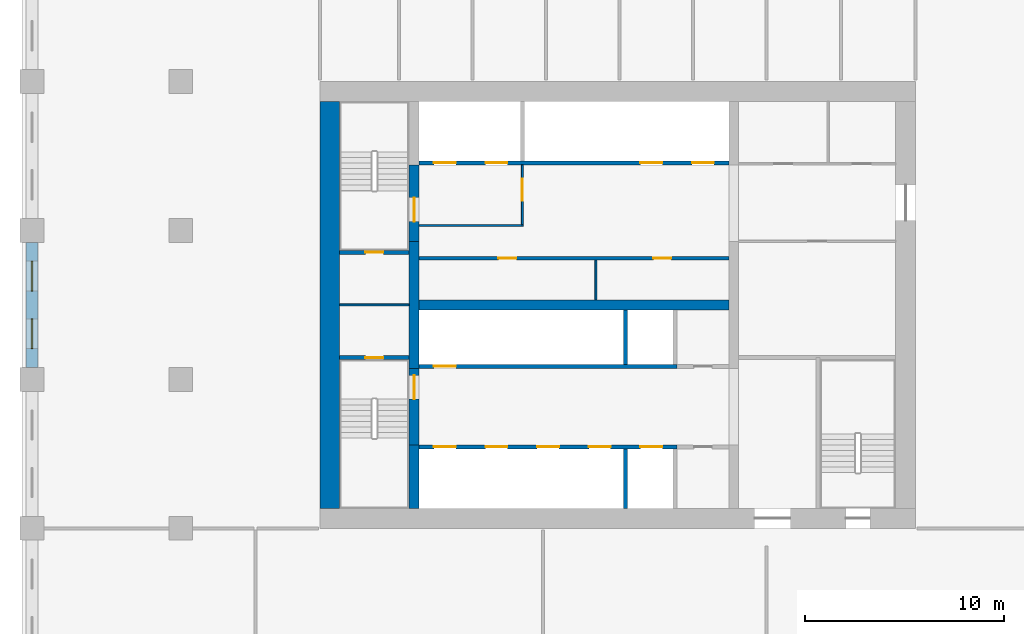
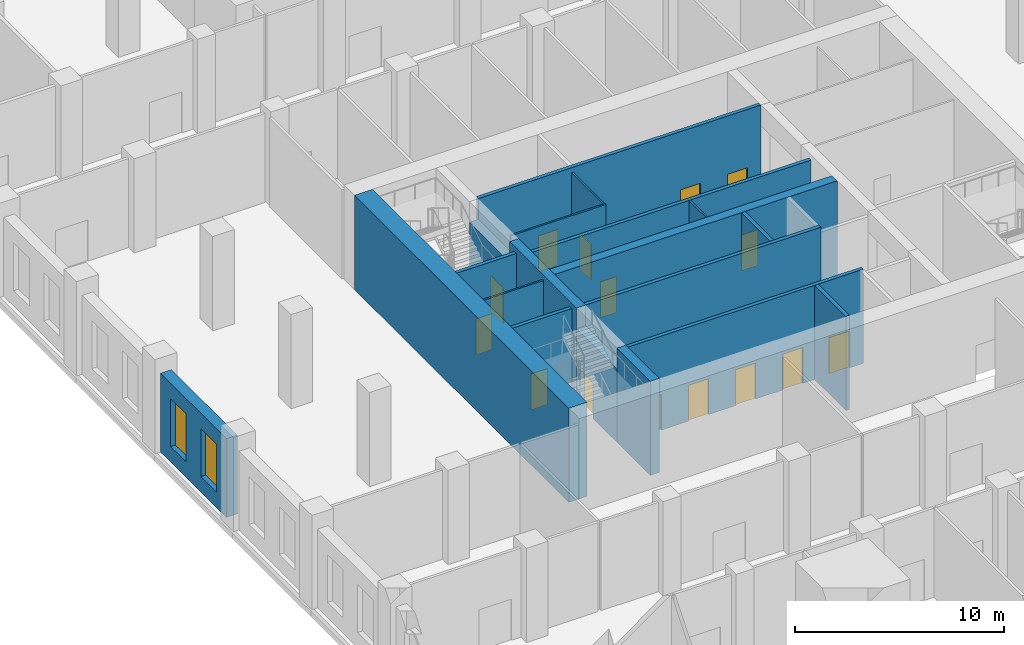
# One storey, part 5 of 25: 19 walls, 17 doors, 2 windows, 19 openings.
"""IFC4 building model written with IfcOpenShell, lengths in metres."""

from ifc_helpers import new_model, si_unit, direction, frame, frame_2d, origin, place, context, subcontext, project, spatial, rectangle, extrude, material, layer, layer_set, type_object, element, fill, save


model = new_model("IFC4")

# Units and contexts
model_context = context("Model", 3, precision=1e-05, world=origin(), true_north=direction((0.0, 1.0)))
body_context = subcontext(model_context, "Body", "Model", "MODEL_VIEW")
ifc_project = project(units=[si_unit("LENGTHUNIT", "METRE"), si_unit("AREAUNIT", "SQUARE_METRE"), si_unit("VOLUMEUNIT", "CUBIC_METRE"), si_unit("PLANEANGLEUNIT", "RADIAN"), si_unit("MASSUNIT", "GRAM", prefix="KILO")], contexts=[model_context])

# Site, building, storey
site_placement = place(None, origin())
site = spatial("IfcSite", under=ifc_project, at=site_placement, CompositionType="ELEMENT")
building_placement = place(site_placement, origin())
building = spatial("IfcBuilding", under=site, at=building_placement, Name="Tamorin Gate", CompositionType="ELEMENT")
storey_placement = place(building_placement, frame((0.0, 0.0, 23.5)))
storey = spatial("IfcBuildingStorey", under=building, at=storey_placement, Name="L04", CompositionType="ELEMENT", Elevation=23.5)

# Wall, openings, doors
ifc_material_1 = material(Name="Concrete C32/40", Category="concrete")
ifc_layer_1 = layer(ifc_material_1, 0.199951171875)
ifc_layer_set_1 = layer_set([ifc_layer_1], Name="Lift lobby face wall 200 EI 120")
wall_type_1 = type_object("IfcWallType", Name="Lift lobby face wall 200 EI 120", PredefinedType="SOLIDWALL", material=ifc_layer_set_1)
wall_1_placement = place(storey_placement, frame((35.0, 64.10009765625, 0.0), z_axis=(0.0, 0.0, 1.0), x_axis=(1.0, 0.0, 0.0)))
wall_1 = element("IfcWall", 1, at=wall_1_placement, inside=storey, type_object=wall_type_1, Name="Lift lobby face wall", PredefinedType="SOLIDWALL", context=body_context, shape_type="SweptSolid", body=[
    extrude(rectangle(XDim=13.0, YDim=0.199951171875, at=frame_2d((6.5, 0.0))), origin(), (0.0, 0.0, 1.0), 5.5),
])
opening_1_placement = place(wall_1_placement, frame((0.75, 0.0, 0.0)))
opening_1 = element("IfcOpeningElement", 2, at=opening_1_placement, cuts=wall_1, Name="Opening LD1", PredefinedType="OPENING", context=body_context, shape_type="SweptSolid", body=[
    extrude(rectangle(XDim=1.10009765625, YDim=2.10009765625, at=frame_2d((0.550048828125, 1.050048828125))), frame((0.0, 0.10986328125, 0.0), z_axis=(0.0, -1.0, 0.0), x_axis=(1.0, 0.0, 0.0)), (0.0, 0.0, 1.0), 0.219970703125),
])
opening_2_placement = place(wall_1_placement, frame((3.35009765625, 0.0, 0.0)))
opening_2 = element("IfcOpeningElement", 3, at=opening_2_placement, cuts=wall_1, Name="Opening LD2", PredefinedType="OPENING", context=body_context, shape_type="SweptSolid", body=[
    extrude(rectangle(XDim=1.10009765625, YDim=2.10009765625, at=frame_2d((0.550048828125, 1.050048828125))), frame((0.0, 0.10986328125, 0.0), z_axis=(0.0, -1.0, 0.0), x_axis=(1.0, 0.0, 0.0)), (0.0, 0.0, 1.0), 0.219970703125),
])
opening_3_placement = place(wall_1_placement, frame((5.949951171875, 0.0, 0.0)))
opening_3 = element("IfcOpeningElement", 4, at=opening_3_placement, cuts=wall_1, Name="Opening LD3", PredefinedType="OPENING", context=body_context, shape_type="SweptSolid", body=[
    extrude(rectangle(XDim=1.10009765625, YDim=2.10009765625, at=frame_2d((0.550048828125, 1.050048828125))), frame((0.0, 0.10986328125, 0.0), z_axis=(0.0, -1.0, 0.0), x_axis=(1.0, 0.0, 0.0)), (0.0, 0.0, 1.0), 0.219970703125),
])
opening_4_placement = place(wall_1_placement, frame((8.550048828125, 0.0, 0.0)))
opening_4 = element("IfcOpeningElement", 5, at=opening_4_placement, cuts=wall_1, Name="Opening LD4", PredefinedType="OPENING", context=body_context, shape_type="SweptSolid", body=[
    extrude(rectangle(XDim=1.10009765625, YDim=2.10009765625, at=frame_2d((0.550048828125, 1.050048828125))), frame((0.0, 0.10986328125, 0.0), z_axis=(0.0, -1.0, 0.0), x_axis=(1.0, 0.0, 0.0)), (0.0, 0.0, 1.0), 0.219970703125),
])
opening_5_placement = place(wall_1_placement, frame((11.14990234375, 0.0, 0.0)))
opening_5 = element("IfcOpeningElement", 6, at=opening_5_placement, cuts=wall_1, Name="Opening LD5", PredefinedType="OPENING", context=body_context, shape_type="SweptSolid", body=[
    extrude(rectangle(XDim=1.10009765625, YDim=2.10009765625, at=frame_2d((0.550048828125, 1.050048828125))), frame((0.0, 0.10986328125, 0.0), z_axis=(0.0, -1.0, 0.0), x_axis=(1.0, 0.0, 0.0)), (0.0, 0.0, 1.0), 0.219970703125),
])
ifc_material_2 = material(Name="Stainless steel sliding door", Category="steel")
door_type_1 = type_object("IfcDoorType", Name="Lift landing door 1100 x 2100 E 90", OperationType="DOUBLE_DOOR_SLIDING", PredefinedType="DOOR", material=ifc_material_2)
door_1_placement = place(opening_1_placement, origin())
door_1 = element("IfcDoor", 7, at=door_1_placement, inside=storey, type_object=door_type_1, Name="LR1 landing door", OperationType="DOUBLE_DOOR_SLIDING", OverallHeight=2.10009765625, OverallWidth=1.10009765625, PredefinedType="DOOR", context=body_context, shape_type="SweptSolid", body=[
    extrude(rectangle(XDim=1.10009765625, YDim=2.10009765625, at=frame_2d((0.550048828125, 1.050048828125))), frame((0.0, 0.02490234375, 0.0), z_axis=(0.0, -1.0, 0.0), x_axis=(1.0, 0.0, 0.0)), (0.0, 0.0, 1.0), 0.050048828125),
])
fill(opening_1, door_1)
door_2_placement = place(opening_2_placement, origin())
door_2 = element("IfcDoor", 8, at=door_2_placement, inside=storey, type_object=door_type_1, Name="LR2 landing door", OperationType="DOUBLE_DOOR_SLIDING", OverallHeight=2.10009765625, OverallWidth=1.10009765625, PredefinedType="DOOR", context=body_context, shape_type="SweptSolid", body=[
    extrude(rectangle(XDim=1.10009765625, YDim=2.10009765625, at=frame_2d((0.550048828125, 1.050048828125))), frame((0.0, 0.02490234375, 0.0), z_axis=(0.0, -1.0, 0.0), x_axis=(1.0, 0.0, 0.0)), (0.0, 0.0, 1.0), 0.050048828125),
])
fill(opening_2, door_2)
door_3_placement = place(opening_3_placement, origin())
door_3 = element("IfcDoor", 9, at=door_3_placement, inside=storey, type_object=door_type_1, Name="LR3 landing door", OperationType="DOUBLE_DOOR_SLIDING", OverallHeight=2.10009765625, OverallWidth=1.10009765625, PredefinedType="DOOR", context=body_context, shape_type="SweptSolid", body=[
    extrude(rectangle(XDim=1.10009765625, YDim=2.10009765625, at=frame_2d((0.550048828125, 1.050048828125))), frame((0.0, 0.02490234375, 0.0), z_axis=(0.0, -1.0, 0.0), x_axis=(1.0, 0.0, 0.0)), (0.0, 0.0, 1.0), 0.050048828125),
])
fill(opening_3, door_3)
door_4_placement = place(opening_4_placement, origin())
door_4 = element("IfcDoor", 10, at=door_4_placement, inside=storey, type_object=door_type_1, Name="LR4 landing door", OperationType="DOUBLE_DOOR_SLIDING", OverallHeight=2.10009765625, OverallWidth=1.10009765625, PredefinedType="DOOR", context=body_context, shape_type="SweptSolid", body=[
    extrude(rectangle(XDim=1.10009765625, YDim=2.10009765625, at=frame_2d((0.550048828125, 1.050048828125))), frame((0.0, 0.02490234375, 0.0), z_axis=(0.0, -1.0, 0.0), x_axis=(1.0, 0.0, 0.0)), (0.0, 0.0, 1.0), 0.050048828125),
])
fill(opening_4, door_4)
door_5_placement = place(opening_5_placement, origin())
door_5 = element("IfcDoor", 11, at=door_5_placement, inside=storey, type_object=door_type_1, Name="LR5 landing door", OperationType="DOUBLE_DOOR_SLIDING", OverallHeight=2.10009765625, OverallWidth=1.10009765625, PredefinedType="DOOR", context=body_context, shape_type="SweptSolid", body=[
    extrude(rectangle(XDim=1.10009765625, YDim=2.10009765625, at=frame_2d((0.550048828125, 1.050048828125))), frame((0.0, 0.02490234375, 0.0), z_axis=(0.0, -1.0, 0.0), x_axis=(1.0, 0.0, 0.0)), (0.0, 0.0, 1.0), 0.050048828125),
])
fill(opening_5, door_5)

# Wall, opening, door
wall_2_placement = place(storey_placement, frame((35.0, 68.14990234375, 0.0), z_axis=(0.0, 0.0, 1.0), x_axis=(1.0, 0.0, 0.0)))
wall_2 = element("IfcWall", 12, at=wall_2_placement, inside=storey, type_object=wall_type_1, Name="Lift lobby face wall", PredefinedType="SOLIDWALL", context=body_context, shape_type="SweptSolid", body=[
    extrude(rectangle(XDim=13.0, YDim=0.199951171875, at=frame_2d((6.5, 0.0))), origin(), (0.0, 0.0, 1.0), 5.5),
])
opening_6_placement = place(wall_2_placement, frame((0.75, 0.0, 0.0)))
opening_6 = element("IfcOpeningElement", 13, at=opening_6_placement, cuts=wall_2, Name="Opening LD6", PredefinedType="OPENING", context=body_context, shape_type="SweptSolid", body=[
    extrude(rectangle(XDim=1.10009765625, YDim=2.10009765625, at=frame_2d((0.550048828125, 1.050048828125))), frame((0.0, 0.10986328125, 0.0), z_axis=(0.0, -1.0, 0.0), x_axis=(1.0, 0.0, 0.0)), (0.0, 0.0, 1.0), 0.219970703125),
])
door_6_placement = place(opening_6_placement, origin())
door_6 = element("IfcDoor", 14, at=door_6_placement, inside=storey, type_object=door_type_1, Name="LR6 landing door", OperationType="DOUBLE_DOOR_SLIDING", OverallHeight=2.10009765625, OverallWidth=1.10009765625, PredefinedType="DOOR", context=body_context, shape_type="SweptSolid", body=[
    extrude(rectangle(XDim=1.10009765625, YDim=2.10009765625, at=frame_2d((0.550048828125, 1.050048828125))), frame((0.0, 0.02490234375, 0.0), z_axis=(0.0, -1.0, 0.0), x_axis=(1.0, 0.0, 0.0)), (0.0, 0.0, 1.0), 0.050048828125),
])
fill(opening_6, door_6)

# Wall, openings, doors
wall_3_placement = place(storey_placement, frame((35.0, 78.39990234375, 0.0), z_axis=(0.0, 0.0, 1.0), x_axis=(1.0, 0.0, 0.0)))
wall_3 = element("IfcWall", 15, at=wall_3_placement, inside=storey, type_object=wall_type_1, Name="Lift lobby face wall", PredefinedType="SOLIDWALL", context=body_context, shape_type="SweptSolid", body=[
    extrude(rectangle(XDim=15.60009765625, YDim=0.199951171875, at=frame_2d((7.800048828125, 0.0))), origin(), (0.0, 0.0, 1.0), 5.5),
])
opening_7_placement = place(wall_3_placement, frame((0.75, 0.0, 0.0)))
opening_7 = element("IfcOpeningElement", 16, at=opening_7_placement, cuts=wall_3, Name="Opening LD17", PredefinedType="OPENING", context=body_context, shape_type="SweptSolid", body=[
    extrude(rectangle(XDim=1.10009765625, YDim=2.10009765625, at=frame_2d((0.550048828125, 1.050048828125))), frame((0.0, 0.10986328125, 0.0), z_axis=(0.0, -1.0, 0.0), x_axis=(1.0, 0.0, 0.0)), (0.0, 0.0, 1.0), 0.219970703125),
])
opening_8_placement = place(wall_3_placement, frame((3.35009765625, 0.0, 0.0)))
opening_8 = element("IfcOpeningElement", 17, at=opening_8_placement, cuts=wall_3, Name="Opening LD18", PredefinedType="OPENING", context=body_context, shape_type="SweptSolid", body=[
    extrude(rectangle(XDim=1.10009765625, YDim=2.10009765625, at=frame_2d((0.550048828125, 1.050048828125))), frame((0.0, 0.10986328125, 0.0), z_axis=(0.0, -1.0, 0.0), x_axis=(1.0, 0.0, 0.0)), (0.0, 0.0, 1.0), 0.219970703125),
])
opening_9_placement = place(wall_3_placement, frame((11.14990234375, 0.0, 0.0)))
opening_9 = element("IfcOpeningElement", 18, at=opening_9_placement, cuts=wall_3, Name="Opening LD21", PredefinedType="OPENING", context=body_context, shape_type="SweptSolid", body=[
    extrude(rectangle(XDim=1.10009765625, YDim=2.10009765625, at=frame_2d((0.550048828125, 1.050048828125))), frame((0.0, 0.10986328125, 0.0), z_axis=(0.0, -1.0, 0.0), x_axis=(1.0, 0.0, 0.0)), (0.0, 0.0, 1.0), 0.219970703125),
])
opening_10_placement = place(wall_3_placement, frame((13.75, 0.0, 0.0)))
opening_10 = element("IfcOpeningElement", 19, at=opening_10_placement, cuts=wall_3, Name="Opening LD22", PredefinedType="OPENING", context=body_context, shape_type="SweptSolid", body=[
    extrude(rectangle(XDim=1.10009765625, YDim=2.10009765625, at=frame_2d((0.550048828125, 1.050048828125))), frame((0.0, 0.10986328125, 0.0), z_axis=(0.0, -1.0, 0.0), x_axis=(1.0, 0.0, 0.0)), (0.0, 0.0, 1.0), 0.219970703125),
])
door_7_placement = place(opening_7_placement, origin())
door_7 = element("IfcDoor", 20, at=door_7_placement, inside=storey, type_object=door_type_1, Name="FF1 landing door", OperationType="DOUBLE_DOOR_SLIDING", OverallHeight=2.10009765625, OverallWidth=1.10009765625, PredefinedType="DOOR", context=body_context, shape_type="SweptSolid", body=[
    extrude(rectangle(XDim=1.10009765625, YDim=2.10009765625, at=frame_2d((0.550048828125, 1.050048828125))), frame((0.0, 0.02490234375, 0.0), z_axis=(0.0, -1.0, 0.0), x_axis=(1.0, 0.0, 0.0)), (0.0, 0.0, 1.0), 0.050048828125),
])
fill(opening_7, door_7)
door_8_placement = place(opening_8_placement, origin())
door_8 = element("IfcDoor", 21, at=door_8_placement, inside=storey, type_object=door_type_1, Name="FF2 landing door", OperationType="DOUBLE_DOOR_SLIDING", OverallHeight=2.10009765625, OverallWidth=1.10009765625, PredefinedType="DOOR", context=body_context, shape_type="SweptSolid", body=[
    extrude(rectangle(XDim=1.10009765625, YDim=2.10009765625, at=frame_2d((0.550048828125, 1.050048828125))), frame((0.0, 0.02490234375, 0.0), z_axis=(0.0, -1.0, 0.0), x_axis=(1.0, 0.0, 0.0)), (0.0, 0.0, 1.0), 0.050048828125),
])
fill(opening_8, door_8)
door_9_placement = place(opening_9_placement, origin())
door_9 = element("IfcDoor", 22, at=door_9_placement, inside=storey, type_object=door_type_1, Name="SV1 landing door", OperationType="DOUBLE_DOOR_SLIDING", OverallHeight=2.10009765625, OverallWidth=1.10009765625, PredefinedType="DOOR", context=body_context, shape_type="SweptSolid", body=[
    extrude(rectangle(XDim=1.10009765625, YDim=2.10009765625, at=frame_2d((0.550048828125, 1.050048828125))), frame((0.0, 0.02490234375, 0.0), z_axis=(0.0, -1.0, 0.0), x_axis=(1.0, 0.0, 0.0)), (0.0, 0.0, 1.0), 0.050048828125),
])
fill(opening_9, door_9)
door_10_placement = place(opening_10_placement, origin())
door_10 = element("IfcDoor", 23, at=door_10_placement, inside=storey, type_object=door_type_1, Name="SV2 landing door", OperationType="DOUBLE_DOOR_SLIDING", OverallHeight=2.10009765625, OverallWidth=1.10009765625, PredefinedType="DOOR", context=body_context, shape_type="SweptSolid", body=[
    extrude(rectangle(XDim=1.10009765625, YDim=2.10009765625, at=frame_2d((0.550048828125, 1.050048828125))), frame((0.0, 0.02490234375, 0.0), z_axis=(0.0, -1.0, 0.0), x_axis=(1.0, 0.0, 0.0)), (0.0, 0.0, 1.0), 0.050048828125),
])
fill(opening_10, door_10)

# Walls
ifc_layer_2 = layer(ifc_material_1, 0.199951171875)
ifc_layer_set_2 = layer_set([ifc_layer_2], Name="Lift shaft wall 200 EI 120")
wall_type_2 = type_object("IfcWallType", Name="Lift shaft wall 200 EI 120", PredefinedType="SOLIDWALL", material=ifc_layer_set_2)
wall_4_placement = place(storey_placement, frame((45.39990234375, 61.0, 0.0), z_axis=(0.0, 0.0, 1.0), x_axis=(0.0, 1.0, 0.0)))
element("IfcWall", 24, at=wall_4_placement, inside=storey, type_object=wall_type_2, Name="Lift shaft wall", PredefinedType="SOLIDWALL", context=body_context, shape_type="SweptSolid", body=[
    extrude(rectangle(XDim=3.0, YDim=0.199951171875, at=frame_2d((1.5, 0.0))), origin(), (0.0, 0.0, 1.0), 5.5),
])
wall_5_placement = place(storey_placement, frame((45.39990234375, 68.25, 0.0), z_axis=(0.0, 0.0, 1.0), x_axis=(0.0, 1.0, 0.0)))
element("IfcWall", 25, at=wall_5_placement, inside=storey, type_object=wall_type_2, Name="Lift shaft wall", PredefinedType="SOLIDWALL", context=body_context, shape_type="SweptSolid", body=[
    extrude(rectangle(XDim=2.75, YDim=0.199951171875, at=frame_2d((1.375, 0.0))), origin(), (0.0, 0.0, 1.0), 5.5),
])
ifc_material_3 = material(Name="Fire-rated gypsum board partition")
ifc_layer_3 = layer(ifc_material_3, 0.10009765625)
ifc_layer_set_3 = layer_set([ifc_layer_3], Name="Lobby wall 100 EI 60")
wall_type_3 = type_object("IfcWallType", Name="Lobby wall 100 EI 60", PredefinedType="PARTITIONING", material=ifc_layer_set_3)
wall_6_placement = place(storey_placement, frame((35.0, 75.25, 0.0), z_axis=(0.0, 0.0, 1.0), x_axis=(1.0, 0.0, 0.0)))
element("IfcWall", 26, at=wall_6_placement, inside=storey, type_object=wall_type_3, Name="Firefighting lobby wall", PredefinedType="PARTITIONING", context=body_context, shape_type="SweptSolid", body=[
    extrude(rectangle(XDim=5.25, YDim=0.10009765625, at=frame_2d((2.625, 0.0))), origin(), (0.0, 0.0, 1.0), 5.199951171875),
])

# Wall, opening, door
wall_7_placement = place(storey_placement, frame((40.199951171875, 75.300048828125, 0.0), z_axis=(0.0, 0.0, 1.0), x_axis=(0.0, 1.0, 0.0)))
wall_7 = element("IfcWall", 27, at=wall_7_placement, inside=storey, type_object=wall_type_3, Name="Firefighting lobby wall", PredefinedType="PARTITIONING", context=body_context, shape_type="SweptSolid", body=[
    extrude(rectangle(XDim=3.0, YDim=0.10009765625, at=frame_2d((1.5, 0.0))), origin(), (0.0, 0.0, 1.0), 5.199951171875),
])
opening_11_placement = place(wall_7_placement, frame((1.199951171875, 0.0, 0.0)))
opening_11 = element("IfcOpeningElement", 28, at=opening_11_placement, cuts=wall_7, Name="Opening DF1", PredefinedType="OPENING", context=body_context, shape_type="SweptSolid", body=[
    extrude(rectangle(XDim=1.10009765625, YDim=2.10009765625, at=frame_2d((0.550048828125, 1.050048828125))), frame((0.0, 0.06005859375, 0.0), z_axis=(0.0, -1.0, 0.0), x_axis=(1.0, 0.0, 0.0)), (0.0, 0.0, 1.0), 0.1201171875),
])
ifc_material_4 = material(Name="Steel fire door", Category="steel")
door_type_2 = type_object("IfcDoorType", Name="Firefighting lobby door 1100 x 2100 EI 90", OperationType="SINGLE_SWING_LEFT", PredefinedType="DOOR", material=ifc_material_4)
door_11_placement = place(opening_11_placement, origin())
door_11 = element("IfcDoor", 29, at=door_11_placement, inside=storey, type_object=door_type_2, Name="Firefighting lobby door", OperationType="SINGLE_SWING_LEFT", OverallHeight=2.10009765625, OverallWidth=1.10009765625, PredefinedType="DOOR", context=body_context, shape_type="SweptSolid", body=[
    extrude(rectangle(XDim=1.10009765625, YDim=2.10009765625, at=frame_2d((0.550048828125, 1.050048828125))), frame((0.0, 0.02490234375, 0.0), z_axis=(0.0, -1.0, 0.0), x_axis=(1.0, 0.0, 0.0)), (0.0, 0.0, 1.0), 0.050048828125),
])
fill(opening_11, door_11)

# Wall, openings, windows
ifc_material_5 = material(Name="Precast concrete C40/50", Category="concrete")
ifc_layer_4 = layer(ifc_material_5, 0.60009765625)
ifc_layer_set_4 = layer_set([ifc_layer_4], Name="Precast concrete C40/50")
wall_type_4 = type_object("IfcWallType", Name="Precast plinth wall 600", PredefinedType="PARTITIONING", material=ifc_layer_set_4)
wall_8_placement = place(storey_placement, frame((15.5, 68.10009765625, 0.0), z_axis=(0.0, 0.0, 1.0), x_axis=(0.0, 1.0, 0.0)))
wall_8 = element("IfcWall", 30, at=wall_8_placement, inside=storey, type_object=wall_type_4, Name="Precast plinth wall 600 L04", PredefinedType="PARTITIONING", context=body_context, shape_type="SweptSolid", body=[
    extrude(rectangle(XDim=6.2998046875, YDim=0.60009765625, at=frame_2d((3.14990234375, 0.0))), origin(), (0.0, 0.0, 1.0), 4.60009765625),
])
opening_12_placement = place(wall_8_placement, frame((0.950927734375, 0.0, 0.89990234375)))
opening_12 = element("IfcOpeningElement", 31, at=opening_12_placement, cuts=wall_8, Name="Opening PWN5", PredefinedType="OPENING", context=body_context, shape_type="SweptSolid", body=[
    extrude(rectangle(XDim=1.5, YDim=2.800048828125, at=frame_2d((0.75, 1.39990234375))), frame((0.0, 0.31005859375, 0.0), z_axis=(0.0, -1.0, 0.0), x_axis=(1.0, 0.0, 0.0)), (0.0, 0.0, 1.0), 0.6201171875),
])
opening_13_placement = place(wall_8_placement, frame((3.84912109375, 0.0, 0.89990234375)))
opening_13 = element("IfcOpeningElement", 32, at=opening_13_placement, cuts=wall_8, Name="Opening PWN5", PredefinedType="OPENING", context=body_context, shape_type="SweptSolid", body=[
    extrude(rectangle(XDim=1.5, YDim=2.800048828125, at=frame_2d((0.75, 1.39990234375))), frame((0.0, 0.31005859375, 0.0), z_axis=(0.0, -1.0, 0.0), x_axis=(1.0, 0.0, 0.0)), (0.0, 0.0, 1.0), 0.6201171875),
])
ifc_material_6 = material(Name="Aluminium and glass", Category="aluminium")
window_type = type_object("IfcWindowType", Name="Plinth window 1500x2800", PartitioningType="DOUBLE_PANEL_VERTICAL", PredefinedType="WINDOW", material=ifc_material_6)
window_1_placement = place(opening_12_placement, origin())
window_1 = element("IfcWindow", 33, at=window_1_placement, inside=storey, type_object=window_type, Name="Plinth window 1500x2800", OverallHeight=2.800048828125, OverallWidth=1.5, PartitioningType="SINGLE_PANEL", PredefinedType="WINDOW", context=body_context, shape_type="SweptSolid", body=[
    extrude(rectangle(XDim=1.5, YDim=2.800048828125, at=frame_2d((0.75, 1.39990234375))), frame((0.0, 0.030029296875, 0.0), z_axis=(0.0, -1.0, 0.0), x_axis=(1.0, 0.0, 0.0)), (0.0, 0.0, 1.0), 0.06005859375),
])
fill(opening_12, window_1)
window_2_placement = place(opening_13_placement, origin())
window_2 = element("IfcWindow", 34, at=window_2_placement, inside=storey, type_object=window_type, Name="Plinth window 1500x2800", OverallHeight=2.800048828125, OverallWidth=1.5, PartitioningType="SINGLE_PANEL", PredefinedType="WINDOW", context=body_context, shape_type="SweptSolid", body=[
    extrude(rectangle(XDim=1.5, YDim=2.800048828125, at=frame_2d((0.75, 1.39990234375))), frame((0.0, 0.030029296875, 0.0), z_axis=(0.0, -1.0, 0.0), x_axis=(1.0, 0.0, 0.0)), (0.0, 0.0, 1.0), 0.06005859375),
])
fill(opening_13, window_2)

# Walls
ifc_material_7 = material(Name="Concrete C80/95", Category="concrete")
ifc_layer_5 = layer(ifc_material_7, 0.5)
ifc_layer_set_5 = layer_set([ifc_layer_5], Name="RC core internal wall 500 C80/95")
wall_type_5 = type_object("IfcWallType", Name="RC core internal wall 500 C80/95", PredefinedType="SHEAR", material=ifc_layer_set_5)
wall_9_placement = place(storey_placement, frame((35.0, 71.25, 0.0), z_axis=(0.0, 0.0, 1.0), x_axis=(1.0, 0.0, 0.0)))
element("IfcWall", 35, at=wall_9_placement, inside=storey, type_object=wall_type_5, Name="Core spine wall L04", PredefinedType="SHEAR", context=body_context, shape_type="SweptSolid", body=[
    extrude(rectangle(XDim=15.60009765625, YDim=0.5, at=frame_2d((7.800048828125, 0.0))), origin(), (0.0, 0.0, 1.0), 5.5),
])
wall_10_placement = place(storey_placement, frame((34.75, 61.0, 0.0), z_axis=(0.0, 0.0, 1.0), x_axis=(0.0, 1.0, 0.0)))
element("IfcWall", 36, at=wall_10_placement, inside=storey, type_object=wall_type_5, Name="Core cross wall L04", PredefinedType="SHEAR", context=body_context, shape_type="SweptSolid", body=[
    extrude(rectangle(XDim=3.199951171875, YDim=0.5, at=frame_2d((1.60009765625, 0.0))), origin(), (0.0, 0.0, 1.0), 5.5),
])
wall_11_placement = place(storey_placement, frame((34.75, 68.050048828125, 0.0), z_axis=(0.0, 0.0, 1.0), x_axis=(0.0, 1.0, 0.0)))
element("IfcWall", 37, at=wall_11_placement, inside=storey, type_object=wall_type_5, Name="Core cross wall L04", PredefinedType="SHEAR", context=body_context, shape_type="SweptSolid", body=[
    extrude(rectangle(XDim=6.39990234375, YDim=0.5, at=frame_2d((3.199951171875, 0.0))), origin(), (0.0, 0.0, 1.0), 5.5),
])
ifc_layer_6 = layer(ifc_material_7, 1.0)
ifc_layer_set_6 = layer_set([ifc_layer_6], Name="RC core wall 1000 C80/95")
wall_type_6 = type_object("IfcWallType", Name="RC core wall 1000 C80/95", PredefinedType="SHEAR", material=ifc_layer_set_6)
wall_12_placement = place(storey_placement, frame((30.5, 61.0, 0.0), z_axis=(0.0, 0.0, 1.0), x_axis=(0.0, 1.0, 0.0)))
element("IfcWall", 38, at=wall_12_placement, inside=storey, type_object=wall_type_6, Name="Core wall L04", PredefinedType="SHEAR", context=body_context, shape_type="SweptSolid", body=[
    extrude(rectangle(XDim=20.5, YDim=1.0, at=frame_2d((10.25, 0.0))), origin(), (0.0, 0.0, 1.0), 5.5),
])
ifc_layer_7 = layer(ifc_material_3, 0.10009765625)
ifc_layer_set_7 = layer_set([ifc_layer_7], Name="Riser partition 100 EI 120")
wall_type_7 = type_object("IfcWallType", Name="Riser partition 100 EI 120", PredefinedType="PARTITIONING", material=ifc_layer_set_7)
wall_13_placement = place(storey_placement, frame((31.0, 71.25, 0.0), z_axis=(0.0, 0.0, 1.0), x_axis=(1.0, 0.0, 0.0)))
element("IfcWall", 39, at=wall_13_placement, inside=storey, type_object=wall_type_7, Name="Riser partition", PredefinedType="PARTITIONING", context=body_context, shape_type="SweptSolid", body=[
    extrude(rectangle(XDim=3.5, YDim=0.10009765625, at=frame_2d((1.75, 0.0))), origin(), (0.0, 0.0, 1.0), 5.199951171875),
])

# Wall, openings, doors
ifc_material_8 = material(Name="Gypsum board partition")
ifc_layer_8 = layer(ifc_material_8, 0.199951171875)
ifc_layer_set_8 = layer_set([ifc_layer_8], Name="Service room face wall 200 EI 60")
wall_type_8 = type_object("IfcWallType", Name="Service room face wall 200 EI 60", PredefinedType="PARTITIONING", material=ifc_layer_set_8)
wall_14_placement = place(storey_placement, frame((35.0, 73.60009765625, 0.0), z_axis=(0.0, 0.0, 1.0), x_axis=(1.0, 0.0, 0.0)))
wall_14 = element("IfcWall", 40, at=wall_14_placement, inside=storey, type_object=wall_type_8, Name="Service room face wall", PredefinedType="PARTITIONING", context=body_context, shape_type="SweptSolid", body=[
    extrude(rectangle(XDim=15.60009765625, YDim=0.199951171875, at=frame_2d((7.800048828125, 0.0))), origin(), (0.0, 0.0, 1.0), 5.199951171875),
])
opening_14_placement = place(wall_14_placement, frame((4.0, 0.0, 0.0)))
opening_14 = element("IfcOpeningElement", 41, at=opening_14_placement, cuts=wall_14, Name="Opening DK1", PredefinedType="OPENING", context=body_context, shape_type="SweptSolid", body=[
    extrude(rectangle(XDim=0.89990234375, YDim=2.10009765625, at=frame_2d((0.449951171875, 1.050048828125))), frame((0.0, 0.10986328125, 0.0), z_axis=(0.0, -1.0, 0.0), x_axis=(1.0, 0.0, 0.0)), (0.0, 0.0, 1.0), 0.219970703125),
])
opening_15_placement = place(wall_14_placement, frame((11.800048828125, 0.0, 0.0)))
opening_15 = element("IfcOpeningElement", 42, at=opening_15_placement, cuts=wall_14, Name="Opening DK1", PredefinedType="OPENING", context=body_context, shape_type="SweptSolid", body=[
    extrude(rectangle(XDim=0.89990234375, YDim=2.10009765625, at=frame_2d((0.449951171875, 1.050048828125))), frame((0.0, 0.10986328125, 0.0), z_axis=(0.0, -1.0, 0.0), x_axis=(1.0, 0.0, 0.0)), (0.0, 0.0, 1.0), 0.219970703125),
])
ifc_material_9 = material(Name="Timber fire door", Category="wood")
door_type_3 = type_object("IfcDoorType", Name="Service room door 900 x 2100 EI 60", OperationType="SINGLE_SWING_LEFT", PredefinedType="DOOR", material=ifc_material_9)
door_12_placement = place(opening_14_placement, origin())
door_12 = element("IfcDoor", 43, at=door_12_placement, inside=storey, type_object=door_type_3, Name="Door Cable riser store", OperationType="SINGLE_SWING_RIGHT", OverallHeight=2.10009765625, OverallWidth=0.89990234375, PredefinedType="DOOR", context=body_context, shape_type="SweptSolid", body=[
    extrude(rectangle(XDim=0.89990234375, YDim=2.10009765625, at=frame_2d((0.449951171875, 1.050048828125))), frame((0.0, 0.02490234375, 0.0), z_axis=(0.0, -1.0, 0.0), x_axis=(1.0, 0.0, 0.0)), (0.0, 0.0, 1.0), 0.050048828125),
])
fill(opening_14, door_12)
door_13_placement = place(opening_15_placement, origin())
door_13 = element("IfcDoor", 44, at=door_13_placement, inside=storey, type_object=door_type_3, Name="Door Cleaner's store", OperationType="SINGLE_SWING_LEFT", OverallHeight=2.10009765625, OverallWidth=0.89990234375, PredefinedType="DOOR", context=body_context, shape_type="SweptSolid", body=[
    extrude(rectangle(XDim=0.89990234375, YDim=2.10009765625, at=frame_2d((0.449951171875, 1.050048828125))), frame((0.0, 0.02490234375, 0.0), z_axis=(0.0, -1.0, 0.0), x_axis=(1.0, 0.0, 0.0)), (0.0, 0.0, 1.0), 0.050048828125),
])
fill(opening_15, door_13)

# Wall
ifc_layer_9 = layer(ifc_material_8, 0.10009765625)
ifc_layer_set_9 = layer_set([ifc_layer_9], Name="Service room partition 100 EI 60")
wall_type_9 = type_object("IfcWallType", Name="Service room partition 100 EI 60", PredefinedType="PARTITIONING", material=ifc_layer_set_9)
wall_15_placement = place(storey_placement, frame((43.89990234375, 71.5, 0.0), z_axis=(0.0, 0.0, 1.0), x_axis=(0.0, 1.0, 0.0)))
element("IfcWall", 45, at=wall_15_placement, inside=storey, type_object=wall_type_9, Name="Service room partition", PredefinedType="PARTITIONING", context=body_context, shape_type="SweptSolid", body=[
    extrude(rectangle(XDim=2.0, YDim=0.10009765625, at=frame_2d((1.0, 0.0))), origin(), (0.0, 0.0, 1.0), 5.199951171875),
])

# Wall, opening, door
ifc_material_10 = material(Name="Concrete C40/50", Category="concrete")
ifc_layer_10 = layer(ifc_material_10, 0.199951171875)
ifc_layer_set_10 = layer_set([ifc_layer_10], Name="Stair enclosure wall 200 EI 120 C40/50")
wall_type_10 = type_object("IfcWallType", Name="Stair enclosure wall 200 EI 120 C40/50", PredefinedType="SOLIDWALL", material=ifc_layer_set_10)
wall_16_placement = place(storey_placement, frame((31.0, 68.60009765625, 0.0), z_axis=(0.0, 0.0, 1.0), x_axis=(1.0, 0.0, 0.0)))
wall_16 = element("IfcWall", 46, at=wall_16_placement, inside=storey, type_object=wall_type_10, Name="Stair enclosure wall", PredefinedType="SOLIDWALL", context=body_context, shape_type="SweptSolid", body=[
    extrude(rectangle(XDim=3.5, YDim=0.199951171875, at=frame_2d((1.75, 0.0))), origin(), (0.0, 0.0, 1.0), 5.199951171875),
])
opening_16_placement = place(wall_16_placement, frame((1.300048828125, 0.0, 0.0)))
opening_16 = element("IfcOpeningElement", 47, at=opening_16_placement, cuts=wall_16, Name="Opening DR1", PredefinedType="OPENING", context=body_context, shape_type="SweptSolid", body=[
    extrude(rectangle(XDim=0.89990234375, YDim=2.10009765625, at=frame_2d((0.449951171875, 1.050048828125))), frame((0.0, 0.10986328125, 0.0), z_axis=(0.0, -1.0, 0.0), x_axis=(1.0, 0.0, 0.0)), (0.0, 0.0, 1.0), 0.219970703125),
])
door_type_4 = type_object("IfcDoorType", Name="Riser access door 900 x 2100 EI 120", OperationType="SINGLE_SWING_LEFT", PredefinedType="DOOR", material=ifc_material_4)
door_14_placement = place(opening_16_placement, origin())
door_14 = element("IfcDoor", 48, at=door_14_placement, inside=storey, type_object=door_type_4, Name="Electrical riser door", OperationType="SINGLE_SWING_LEFT", OverallHeight=2.10009765625, OverallWidth=0.89990234375, PredefinedType="DOOR", context=body_context, shape_type="SweptSolid", body=[
    extrude(rectangle(XDim=0.89990234375, YDim=2.10009765625, at=frame_2d((0.449951171875, 1.050048828125))), frame((0.0, 0.02490234375, 0.0), z_axis=(0.0, -1.0, 0.0), x_axis=(1.0, 0.0, 0.0)), (0.0, 0.0, 1.0), 0.050048828125),
])
fill(opening_16, door_14)

wall_17_placement = place(storey_placement, frame((31.0, 73.89990234375, 0.0), z_axis=(0.0, 0.0, 1.0), x_axis=(1.0, 0.0, 0.0)))
wall_17 = element("IfcWall", 49, at=wall_17_placement, inside=storey, type_object=wall_type_10, Name="Stair enclosure wall", PredefinedType="SOLIDWALL", context=body_context, shape_type="SweptSolid", body=[
    extrude(rectangle(XDim=3.5, YDim=0.199951171875, at=frame_2d((1.75, 0.0))), origin(), (0.0, 0.0, 1.0), 5.199951171875),
])
opening_17_placement = place(wall_17_placement, frame((1.300048828125, 0.0, 0.0)))
opening_17 = element("IfcOpeningElement", 50, at=opening_17_placement, cuts=wall_17, Name="Opening DR1", PredefinedType="OPENING", context=body_context, shape_type="SweptSolid", body=[
    extrude(rectangle(XDim=0.89990234375, YDim=2.10009765625, at=frame_2d((0.449951171875, 1.050048828125))), frame((0.0, 0.10986328125, 0.0), z_axis=(0.0, -1.0, 0.0), x_axis=(1.0, 0.0, 0.0)), (0.0, 0.0, 1.0), 0.219970703125),
])
door_15_placement = place(opening_17_placement, origin())
door_15 = element("IfcDoor", 51, at=door_15_placement, inside=storey, type_object=door_type_4, Name="Communications riser door", OperationType="SINGLE_SWING_RIGHT", OverallHeight=2.10009765625, OverallWidth=0.89990234375, PredefinedType="DOOR", context=body_context, shape_type="SweptSolid", body=[
    extrude(rectangle(XDim=0.89990234375, YDim=2.10009765625, at=frame_2d((0.449951171875, 1.050048828125))), frame((0.0, 0.02490234375, 0.0), z_axis=(0.0, -1.0, 0.0), x_axis=(1.0, 0.0, 0.0)), (0.0, 0.0, 1.0), 0.050048828125),
])
fill(opening_17, door_15)

ifc_layer_11 = layer(ifc_material_1, 0.5)
ifc_layer_set_11 = layer_set([ifc_layer_11], Name="Stair lobby infill wall 500 EI 120")
wall_type_11 = type_object("IfcWallType", Name="Stair lobby infill wall 500 EI 120", PredefinedType="SOLIDWALL", material=ifc_layer_set_11)
wall_18_placement = place(storey_placement, frame((34.75, 64.199951171875, 0.0), z_axis=(0.0, 0.0, 1.0), x_axis=(0.0, 1.0, 0.0)))
wall_18 = element("IfcWall", 52, at=wall_18_placement, inside=storey, type_object=wall_type_11, Name="Stair lobby infill wall", PredefinedType="SOLIDWALL", context=body_context, shape_type="SweptSolid", body=[
    extrude(rectangle(XDim=3.85009765625, YDim=0.5, at=frame_2d((1.925048828125, 0.0))), origin(), (0.0, 0.0, 1.0), 4.300048828125),
])
opening_18_placement = place(wall_18_placement, frame((2.300048828125, 0.0, 0.0)))
opening_18 = element("IfcOpeningElement", 53, at=opening_18_placement, cuts=wall_18, Name="Opening DS1", PredefinedType="OPENING", context=body_context, shape_type="SweptSolid", body=[
    extrude(rectangle(XDim=1.199951171875, YDim=2.10009765625, at=frame_2d((0.60009765625, 1.050048828125))), frame((0.0, 0.260009765625, 0.0), z_axis=(0.0, -1.0, 0.0), x_axis=(1.0, 0.0, 0.0)), (0.0, 0.0, 1.0), 0.52001953125),
])
door_type_5 = type_object("IfcDoorType", Name="Stair door 1200 x 2100 EI 90", OperationType="SINGLE_SWING_LEFT", PredefinedType="DOOR", material=ifc_material_4)
door_16_placement = place(opening_18_placement, origin())
door_16 = element("IfcDoor", 54, at=door_16_placement, inside=storey, type_object=door_type_5, Name="ST1 door", OperationType="SINGLE_SWING_LEFT", OverallHeight=2.10009765625, OverallWidth=1.199951171875, PredefinedType="DOOR", context=body_context, shape_type="SweptSolid", body=[
    extrude(rectangle(XDim=1.199951171875, YDim=2.10009765625, at=frame_2d((0.60009765625, 1.050048828125))), frame((0.0, 0.02490234375, 0.0), z_axis=(0.0, -1.0, 0.0), x_axis=(1.0, 0.0, 0.0)), (0.0, 0.0, 1.0), 0.050048828125),
])
fill(opening_18, door_16)

wall_19_placement = place(storey_placement, frame((34.75, 74.449951171875, 0.0), z_axis=(0.0, 0.0, 1.0), x_axis=(0.0, 1.0, 0.0)))
wall_19 = element("IfcWall", 55, at=wall_19_placement, inside=storey, type_object=wall_type_11, Name="Stair lobby infill wall", PredefinedType="SOLIDWALL", context=body_context, shape_type="SweptSolid", body=[
    extrude(rectangle(XDim=3.85009765625, YDim=0.5, at=frame_2d((1.925048828125, 0.0))), origin(), (0.0, 0.0, 1.0), 4.300048828125),
])
opening_19_placement = place(wall_19_placement, frame((1.0, 0.0, 0.0)))
opening_19 = element("IfcOpeningElement", 56, at=opening_19_placement, cuts=wall_19, Name="Opening DS1", PredefinedType="OPENING", context=body_context, shape_type="SweptSolid", body=[
    extrude(rectangle(XDim=1.199951171875, YDim=2.10009765625, at=frame_2d((0.60009765625, 1.050048828125))), frame((0.0, 0.260009765625, 0.0), z_axis=(0.0, -1.0, 0.0), x_axis=(1.0, 0.0, 0.0)), (0.0, 0.0, 1.0), 0.52001953125),
])
door_17_placement = place(opening_19_placement, origin())
door_17 = element("IfcDoor", 57, at=door_17_placement, inside=storey, type_object=door_type_5, Name="ST2 door", OperationType="SINGLE_SWING_RIGHT", OverallHeight=2.10009765625, OverallWidth=1.199951171875, PredefinedType="DOOR", context=body_context, shape_type="SweptSolid", body=[
    extrude(rectangle(XDim=1.199951171875, YDim=2.10009765625, at=frame_2d((0.60009765625, 1.050048828125))), frame((0.0, 0.02490234375, 0.0), z_axis=(0.0, -1.0, 0.0), x_axis=(1.0, 0.0, 0.0)), (0.0, 0.0, 1.0), 0.050048828125),
])
fill(opening_19, door_17)

save(model, "model.ifc")
